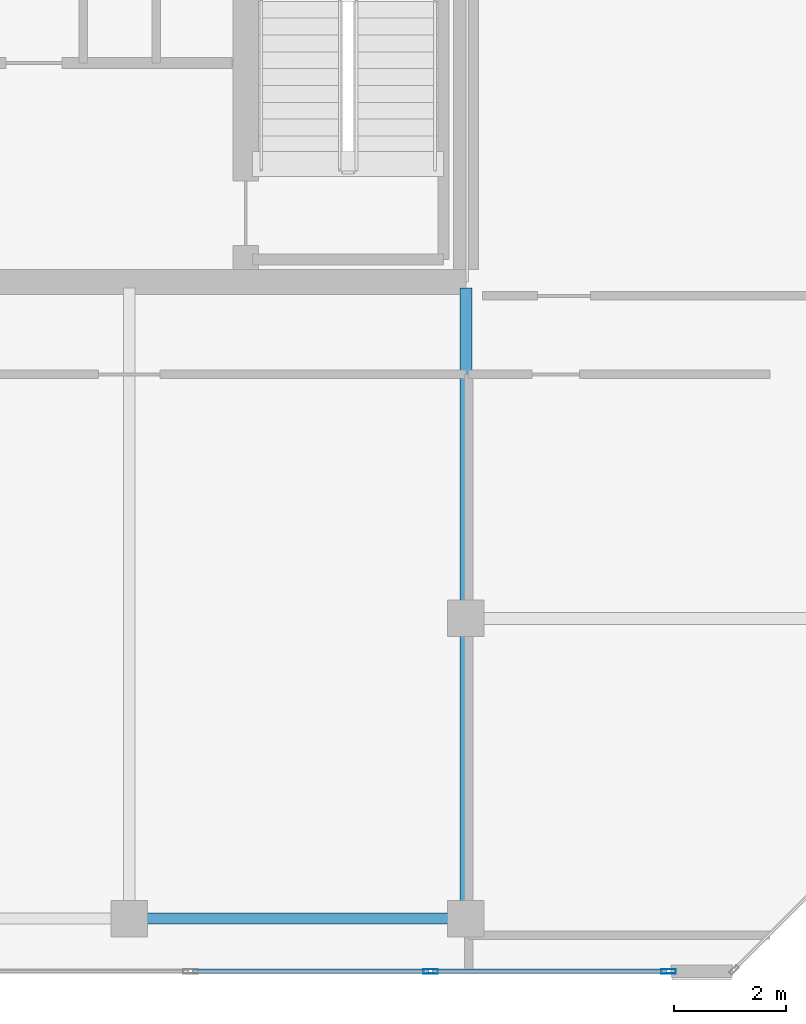
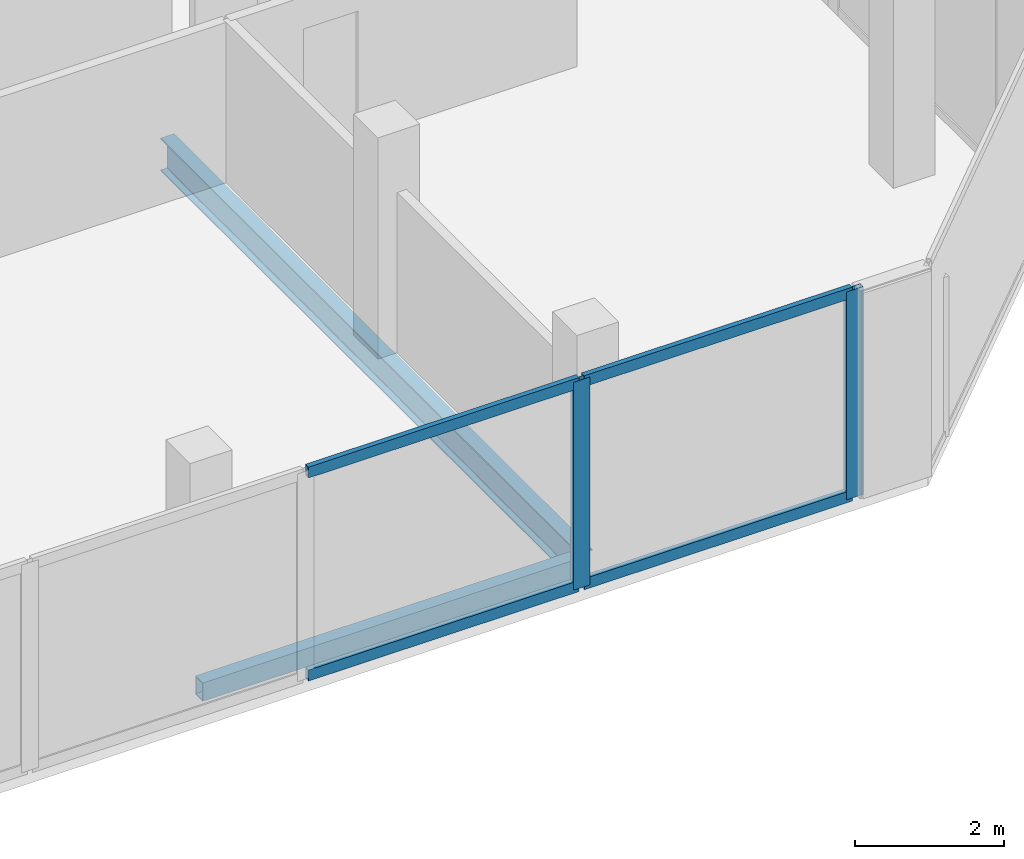
# One storey, part 16 of 30: 6 members, 2 beams, 1 element without a shape of its own.
"""IFC4 building model written with IfcOpenShell, lengths in metres."""

from ifc_helpers import new_model, si_unit, direction, frame, origin, origin_2d, place, context, subcontext, project, spatial, hollow_rectangle, i_section, extrude, material, layer, layer_set, material_profile, profile_set, type_object, element, aggregate, save


model = new_model("IFC4")

# Units and contexts
model_context = context("Model", 3, precision=1e-05, world=origin(), true_north=direction((0.0, 1.0)))
body_context = subcontext(model_context, "Body", "Model", "MODEL_VIEW")
ifc_project = project(units=[si_unit("LENGTHUNIT", "METRE"), si_unit("AREAUNIT", "SQUARE_METRE"), si_unit("VOLUMEUNIT", "CUBIC_METRE"), si_unit("PLANEANGLEUNIT", "RADIAN"), si_unit("MASSUNIT", "GRAM", prefix="KILO")], contexts=[model_context])

# Site, building, storey
site_placement = place(None, origin())
site = spatial("IfcSite", under=ifc_project, at=site_placement, CompositionType="ELEMENT")
building_placement = place(site_placement, origin())
building = spatial("IfcBuilding", under=site, at=building_placement, Name="Tanjung Sevakor Pilgrim Tower", CompositionType="ELEMENT")
storey_placement = place(building_placement, frame((0.0, 0.0, 253.43994140625)))
storey = spatial("IfcBuildingStorey", under=building, at=storey_placement, Name="L71", CompositionType="ELEMENT", Elevation=253.43994140625)

# Beams
ifc_material_1 = material(Name="Steel S355J2", Category="steel")
ifc_material_profile_1 = material_profile(ifc_material_1, i_section(OverallWidth=0.210693359375, OverallDepth=0.53955078125, WebThickness=0.01171875, FlangeThickness=0.018798828125, FilletRadius=0.0126953125, at=origin_2d()))
ifc_profile_set_1 = profile_set([ifc_material_profile_1], Name="Steel S355J2")
beam_type_1 = type_object("IfcBeamType", Name="BM-B-G6-UB_533x210x109", PredefinedType="BEAM", material=ifc_profile_set_1)
beam_1_placement = place(storey_placement, frame((90.0, 13.25, -0.48974609375), z_axis=(0.0, 1.0, 0.0), x_axis=(-1.0, 0.0, 0.0)))
element("IfcBeam", 1, at=beam_1_placement, inside=storey, type_object=beam_type_1, Name="L71 EAST Girder 009", PredefinedType="BEAM", context=body_context, shape_type="SweptSolid", body=[
    extrude(i_section(OverallWidth=0.210693359375, OverallDepth=0.53955078125, WebThickness=0.01171875, FlangeThickness=0.018798828125, FilletRadius=0.0126953125, at=origin_2d()), origin(), (0.0, 0.0, 1.0), 11.243896484375),
])
ifc_material_2 = material(Name="Steel S355J2", Category="steel")
ifc_material_profile_2 = material_profile(ifc_material_2, hollow_rectangle(XDim=0.199951171875, YDim=0.300048828125, WallThickness=0.012451171875, at=origin_2d()))
ifc_profile_set_2 = profile_set([ifc_material_profile_2], Name="Steel S355J2")
beam_type_2 = type_object("IfcBeamType", Name="BM-B-SP3-RHS_300x200x12.5", PredefinedType="SPANDREL", material=ifc_profile_set_2)
beam_2_placement = place(storey_placement, frame((84.0, 13.25, -0.369873046875), z_axis=(1.0, 0.0, 0.0), x_axis=(0.0, 1.0, 0.0)))
element("IfcBeam", 2, at=beam_2_placement, inside=storey, type_object=beam_type_2, Name="L71 Spandrel EAST S-05", PredefinedType="SPANDREL", context=body_context, shape_type="SweptSolid", body=[
    extrude(hollow_rectangle(XDim=0.199951171875, YDim=0.300048828125, WallThickness=0.012451171875, at=origin_2d()), origin(), (0.0, 0.0, 1.0), 6.0),
])

# Curtain wall, members
ifc_material_3 = material(Name="Aluminium 6063-T6 and Low-E Glass", Category="aluminium")
ifc_layer = layer(ifc_material_3, 0.219970703125)
ifc_layer_set = layer_set([ifc_layer], Name="CW-SYS-CRNE")
curtain_wall_type = type_object("IfcCurtainWallType", Name="CW-SYS-CRNE", PredefinedType="NOTDEFINED", material=ifc_layer_set)
curtain_wall_placement = place(storey_placement, origin())
curtain_wall = element("IfcCurtainWall", 3, at=curtain_wall_placement, inside=storey, type_object=curtain_wall_type, Name="L71 Curtain Wall CW-CRN-L71-EAST-0-1", PredefinedType="NOTDEFINED")
ifc_material_4 = material(Name="Aluminium 6063-T6", Category="aluminium")
ifc_material_profile_3 = material_profile(ifc_material_4, hollow_rectangle(XDim=0.080078125, YDim=0.260009765625, WallThickness=0.0048828125, at=origin_2d()))
ifc_profile_set_3 = profile_set([ifc_material_profile_3], Name="Aluminium 6063-T6")
member_type_1 = type_object("IfcMemberType", Name="TYPE-CWM-3", PredefinedType="MULLION", material=ifc_profile_set_3)
member_1_placement = place(storey_placement, frame((89.37255859375, 12.31005859375, 0.0), z_axis=(0.0, 0.0, 1.0), x_axis=(0.0, 1.0, 0.0)))
member_1 = element("IfcMember", 4, at=member_1_placement, type_object=member_type_1, Name="CW-CRE mullion 5", PredefinedType="MULLION", context=body_context, shape_type="SweptSolid", body=[
    extrude(hollow_rectangle(XDim=0.080078125, YDim=0.260009765625, WallThickness=0.0048828125, at=origin_2d()), origin(), (0.0, 0.0, 1.0), 3.41015625),
])
member_2_placement = place(storey_placement, frame((93.614501953125, 12.31005859375, 0.0), z_axis=(0.0, 0.0, 1.0), x_axis=(0.0, 1.0, 0.0)))
member_2 = element("IfcMember", 5, at=member_2_placement, type_object=member_type_1, Name="CW-CRE mullion 6", PredefinedType="MULLION", context=body_context, shape_type="SweptSolid", body=[
    extrude(hollow_rectangle(XDim=0.080078125, YDim=0.260009765625, WallThickness=0.0048828125, at=origin_2d()), origin(), (0.0, 0.0, 1.0), 3.41015625),
])
ifc_material_5 = material(Name="Aluminium 6063-T6", Category="aluminium")
ifc_material_profile_4 = material_profile(ifc_material_5, hollow_rectangle(XDim=0.080078125, YDim=0.179931640625, WallThickness=0.0048828125, at=origin_2d()))
ifc_profile_set_4 = profile_set([ifc_material_profile_4], Name="Aluminium 6063-T6")
member_type_2 = type_object("IfcMemberType", Name="TYPE-CWT-3", PredefinedType="USERDEFINED", material=ifc_profile_set_4)
member_3_placement = place(storey_placement, frame((85.130859375, 12.31005859375, 0.0400390625), z_axis=(1.0, 0.0, 0.0), x_axis=(0.0, 1.0, 0.0)))
member_3 = element("IfcMember", 6, at=member_3_placement, type_object=member_type_2, Name="CW-CRE transom 4.1", ObjectType="TRANSOM", PredefinedType="USERDEFINED", context=body_context, shape_type="SweptSolid", body=[
    extrude(hollow_rectangle(XDim=0.080078125, YDim=0.179931640625, WallThickness=0.0048828125, at=origin_2d()), origin(), (0.0, 0.0, 1.0), 4.20166015625),
])
member_4_placement = place(storey_placement, frame((85.130859375, 12.31005859375, 3.3701171875), z_axis=(1.0, 0.0, 0.0), x_axis=(0.0, 1.0, 0.0)))
member_4 = element("IfcMember", 7, at=member_4_placement, type_object=member_type_2, Name="CW-CRE transom 4.2", ObjectType="TRANSOM", PredefinedType="USERDEFINED", context=body_context, shape_type="SweptSolid", body=[
    extrude(hollow_rectangle(XDim=0.080078125, YDim=0.179931640625, WallThickness=0.0048828125, at=origin_2d()), origin(), (0.0, 0.0, 1.0), 4.20166015625),
])
member_5_placement = place(storey_placement, frame((89.41259765625, 12.31005859375, 0.0400390625), z_axis=(1.0, 0.0, 0.0), x_axis=(0.0, 1.0, 0.0)))
member_5 = element("IfcMember", 8, at=member_5_placement, type_object=member_type_2, Name="CW-CRE transom 5.1", ObjectType="TRANSOM", PredefinedType="USERDEFINED", context=body_context, shape_type="SweptSolid", body=[
    extrude(hollow_rectangle(XDim=0.080078125, YDim=0.179931640625, WallThickness=0.0048828125, at=origin_2d()), origin(), (0.0, 0.0, 1.0), 4.161865234375),
])
member_6_placement = place(storey_placement, frame((89.41259765625, 12.31005859375, 3.3701171875), z_axis=(1.0, 0.0, 0.0), x_axis=(0.0, 1.0, 0.0)))
member_6 = element("IfcMember", 9, at=member_6_placement, type_object=member_type_2, Name="CW-CRE transom 5.2", ObjectType="TRANSOM", PredefinedType="USERDEFINED", context=body_context, shape_type="SweptSolid", body=[
    extrude(hollow_rectangle(XDim=0.080078125, YDim=0.179931640625, WallThickness=0.0048828125, at=origin_2d()), origin(), (0.0, 0.0, 1.0), 4.161865234375),
])
aggregate(curtain_wall, [member_1, member_2, member_3, member_4, member_5, member_6])

save(model, "model.ifc")
